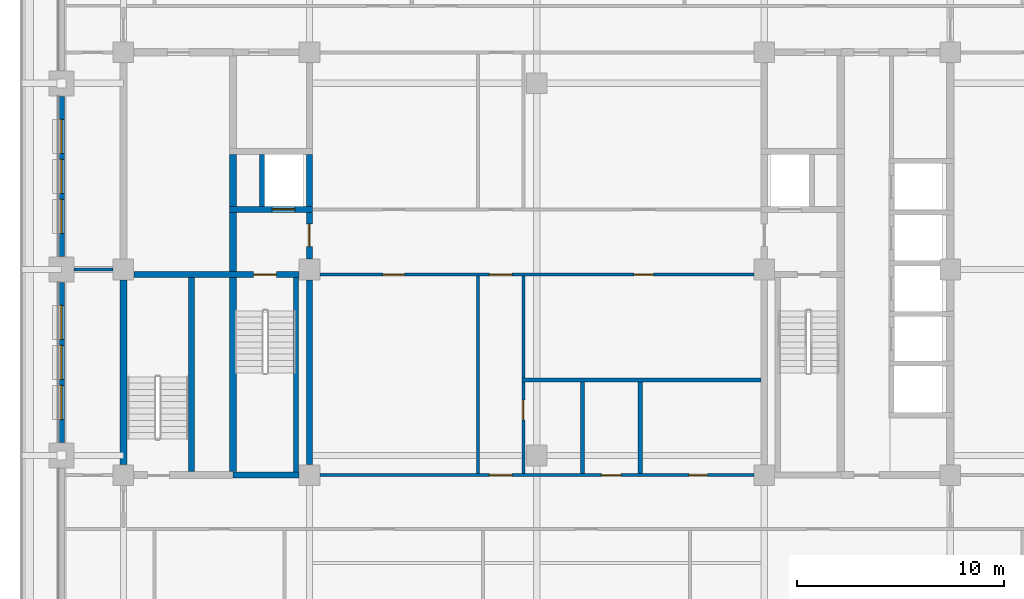
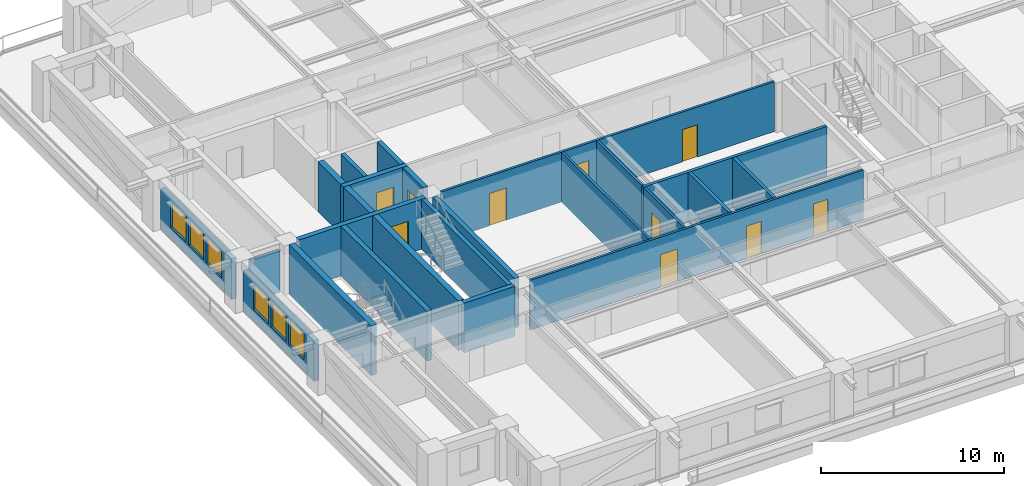
# One storey, part 3 of 13: 24 walls, 10 doors, 6 windows, 16 openings.
"""IFC4 building model written with IfcOpenShell, lengths in metres."""

from ifc_helpers import new_model, si_unit, direction, frame, frame_2d, origin, place, context, subcontext, project, spatial, rectangle, extrude, material, layer, layer_set, type_object, element, fill, save


model = new_model("IFC4")

# Units and contexts
model_context = context("Model", 3, precision=1e-05, world=origin(), true_north=direction((0.0, 1.0)))
body_context = subcontext(model_context, "Body", "Model", "MODEL_VIEW")
ifc_project = project(units=[si_unit("LENGTHUNIT", "METRE"), si_unit("AREAUNIT", "SQUARE_METRE"), si_unit("VOLUMEUNIT", "CUBIC_METRE"), si_unit("PLANEANGLEUNIT", "RADIAN"), si_unit("MASSUNIT", "GRAM", prefix="KILO")], contexts=[model_context])

# Site, building, storey
site_placement = place(None, origin())
site = spatial("IfcSite", under=ifc_project, at=site_placement, CompositionType="ELEMENT")
building_placement = place(site_placement, origin())
building = spatial("IfcBuilding", under=site, at=building_placement, Name="Zulmaris Gate Convention Tower", CompositionType="ELEMENT")
storey_placement = place(building_placement, frame((0.0, 0.0, 91.35986328125)))
storey = spatial("IfcBuildingStorey", under=building, at=storey_placement, Name="L22", CompositionType="ELEMENT", Elevation=91.35986328125)

# Walls
ifc_material_1 = material(Name="Concrete C50/60", Category="concrete")
ifc_layer_1 = layer(ifc_material_1, 0.25, Name="Concrete C50/60")
ifc_layer_set_1 = layer_set([ifc_layer_1], Name="Concrete C50/60")
wall_type_1 = type_object("IfcWallType", Name="CORE-250", PredefinedType="SOLIDWALL", material=ifc_layer_set_1)
wall_1_placement = place(storey_placement, frame((-13.300048828125, 3.052001953125, 0.0), z_axis=(0.0, 0.0, 1.0), x_axis=(0.0, 1.0, 0.0)))
element("IfcWall", 1, at=wall_1_placement, inside=storey, type_object=wall_type_1, Name="WL-L22-040", PredefinedType="SOLIDWALL", context=body_context, shape_type="SweptSolid", body=[
    extrude(rectangle(XDim=2.49609375, YDim=0.25, at=frame_2d((1.248046875, 0.0))), origin(), (0.0, 0.0, 1.0), 3.320068359375),
])
wall_2_placement = place(storey_placement, frame((-11.64990234375, -9.798095703125, 0.0), z_axis=(0.0, 0.0, 1.0), x_axis=(0.0, 1.0, 0.0)))
element("IfcWall", 2, at=wall_2_placement, inside=storey, type_object=wall_type_1, Name="WL-L22-041", PredefinedType="SOLIDWALL", context=body_context, shape_type="SweptSolid", body=[
    extrude(rectangle(XDim=9.39599609375, YDim=0.25, at=frame_2d((4.697998046875, 0.0))), origin(), (0.0, 0.0, 1.0), 3.320068359375),
])
ifc_layer_2 = layer(ifc_material_1, 0.300048828125, Name="Concrete C50/60")
ifc_layer_set_2 = layer_set([ifc_layer_2], Name="Concrete C50/60")
wall_type_2 = type_object("IfcWallType", Name="CORE-300", PredefinedType="SHEAR", material=ifc_layer_set_2)
wall_3_placement = place(storey_placement, frame((-14.699951171875, -9.949951171875, 0.0), z_axis=(0.0, 0.0, 1.0), x_axis=(1.0, 0.0, 0.0)))
element("IfcWall", 3, at=wall_3_placement, inside=storey, type_object=wall_type_2, Name="WL-L22-002", PredefinedType="SHEAR", context=body_context, shape_type="SweptSolid", body=[
    extrude(rectangle(XDim=3.196044921875, YDim=0.300048828125, at=frame_2d((1.59814453125, 0.0))), origin(), (0.0, 0.0, 1.0), 3.320068359375),
])

# Wall, opening, door
wall_4_placement = place(storey_placement, frame((-19.49609375, -0.25, 0.0), z_axis=(0.0, 0.0, 1.0), x_axis=(1.0, 0.0, 0.0)))
wall_4 = element("IfcWall", 4, at=wall_4_placement, inside=storey, type_object=wall_type_2, Name="WL-L22-008", PredefinedType="SHEAR", context=body_context, shape_type="SweptSolid", body=[
    extrude(rectangle(XDim=7.9921875, YDim=0.300048828125, at=frame_2d((3.99609375, 0.0))), origin(), (0.0, 0.0, 1.0), 3.320068359375),
])
opening_1_placement = place(wall_4_placement, frame((5.7958984375, 0.0, 0.0)))
opening_1 = element("IfcOpeningElement", 5, at=opening_1_placement, cuts=wall_4, Name="Opening D-08", PredefinedType="OPENING", context=body_context, shape_type="SweptSolid", body=[
    extrude(rectangle(XDim=1.10009765625, YDim=2.14990234375, at=frame_2d((0.550048828125, 1.074951171875))), frame((0.0, 0.16015625, 0.0), z_axis=(0.0, -1.0, 0.0), x_axis=(1.0, 0.0, 0.0)), (0.0, 0.0, 1.0), 0.320068359375),
])
ifc_material_2 = material(Name="Fire-Rated Steel", Category="steel")
door_type_1 = type_object("IfcDoorType", Name="DR-1100-FD", OperationType="NOTDEFINED", PredefinedType="DOOR", material=ifc_material_2)
door_1_placement = place(opening_1_placement, origin())
door_1 = element("IfcDoor", 6, at=door_1_placement, inside=storey, type_object=door_type_1, Name="L22 Exit Stair ST-1 Door 01", OperationType="SINGLE_SWING_LEFT", OverallHeight=2.14990234375, OverallWidth=1.10009765625, PredefinedType="DOOR", context=body_context, shape_type="SweptSolid", body=[
    extrude(rectangle(XDim=1.10009765625, YDim=2.14990234375, at=frame_2d((0.550048828125, 1.074951171875))), frame((0.0, 0.02490234375, 0.0), z_axis=(0.0, -1.0, 0.0), x_axis=(1.0, 0.0, 0.0)), (0.0, 0.0, 1.0), 0.050048828125),
])
fill(opening_1, door_1)

wall_5_placement = place(storey_placement, frame((-14.875, 2.89990234375, 0.0), z_axis=(0.0, 0.0, 1.0), x_axis=(1.0, 0.0, 0.0)))
wall_5 = element("IfcWall", 7, at=wall_5_placement, inside=storey, type_object=wall_type_2, Name="WL-L22-012", PredefinedType="SHEAR", context=body_context, shape_type="SweptSolid", body=[
    extrude(rectangle(XDim=4.02490234375, YDim=0.300048828125, at=frame_2d((2.012451171875, 0.0))), origin(), (0.0, 0.0, 1.0), 3.320068359375),
])
opening_2_placement = place(wall_5_placement, frame((2.074951171875, 0.0, 0.0)))
opening_2 = element("IfcOpeningElement", 8, at=opening_2_placement, cuts=wall_5, Name="Opening D-06", PredefinedType="OPENING", context=body_context, shape_type="SweptSolid", body=[
    extrude(rectangle(XDim=1.10009765625, YDim=2.199951171875, at=frame_2d((0.550048828125, 1.10009765625))), frame((0.0, 0.16015625, 0.0), z_axis=(0.0, -1.0, 0.0), x_axis=(1.0, 0.0, 0.0)), (0.0, 0.0, 1.0), 0.320068359375),
])
ifc_material_3 = material(Name="Brushed Stainless Steel", Category="steel")
door_type_2 = type_object("IfcDoorType", Name="LD-1100", OperationType="NOTDEFINED", PredefinedType="DOOR", material=ifc_material_3)
door_2_placement = place(opening_2_placement, origin())
door_2 = element("IfcDoor", 9, at=door_2_placement, inside=storey, type_object=door_type_2, Name="L22 Lift Landing Door LF-01 03", OperationType="SLIDING_TO_LEFT", OverallHeight=2.199951171875, OverallWidth=1.10009765625, PredefinedType="DOOR", context=body_context, shape_type="SweptSolid", body=[
    extrude(rectangle(XDim=1.10009765625, YDim=2.199951171875, at=frame_2d((0.550048828125, 1.10009765625))), frame((0.0, 0.02490234375, 0.0), z_axis=(0.0, -1.0, 0.0), x_axis=(1.0, 0.0, 0.0)), (0.0, 0.0, 1.0), 0.050048828125),
])
fill(opening_2, door_2)

# Walls
wall_6_placement = place(storey_placement, frame((-16.699951171875, -9.77294921875, 0.0), z_axis=(0.0, 0.0, 1.0), x_axis=(0.0, 1.0, 0.0)))
element("IfcWall", 10, at=wall_6_placement, inside=storey, type_object=wall_type_2, Name="WL-L22-035", PredefinedType="SHEAR", context=body_context, shape_type="SweptSolid", body=[
    extrude(rectangle(XDim=9.370849609375, YDim=0.300048828125, at=frame_2d((4.685546875, 0.0))), origin(), (0.0, 0.0, 1.0), 3.320068359375),
])
wall_7_placement = place(storey_placement, frame((-11.0, -9.446044921875, 0.0), z_axis=(0.0, 0.0, 1.0), x_axis=(0.0, 1.0, 0.0)))
element("IfcWall", 11, at=wall_7_placement, inside=storey, type_object=wall_type_2, Name="WL-L22-042", PredefinedType="SHEAR", context=body_context, shape_type="SweptSolid", body=[
    extrude(rectangle(XDim=8.942138671875, YDim=0.300048828125, at=frame_2d((4.47119140625, 0.0))), origin(), (0.0, 0.0, 1.0), 3.320068359375),
])

# Wall, opening, door
wall_8_placement = place(storey_placement, frame((-11.0, 0.50390625, 0.0), z_axis=(0.0, 0.0, 1.0), x_axis=(0.0, 1.0, 0.0)))
wall_8 = element("IfcWall", 12, at=wall_8_placement, inside=storey, type_object=wall_type_2, Name="WL-L22-043", PredefinedType="SHEAR", context=body_context, shape_type="SweptSolid", body=[
    extrude(rectangle(XDim=2.244140625, YDim=0.300048828125, at=frame_2d((1.1220703125, 0.0))), origin(), (0.0, 0.0, 1.0), 3.320068359375),
])
opening_3_placement = place(wall_8_placement, frame((0.595947265625, 0.0, 0.0)))
opening_3 = element("IfcOpeningElement", 13, at=opening_3_placement, cuts=wall_8, Name="Opening D-08", PredefinedType="OPENING", context=body_context, shape_type="SweptSolid", body=[
    extrude(rectangle(XDim=1.10009765625, YDim=2.14990234375, at=frame_2d((0.550048828125, 1.074951171875))), frame((0.0, 0.16015625, 0.0), z_axis=(0.0, -1.0, 0.0), x_axis=(1.0, 0.0, 0.0)), (0.0, 0.0, 1.0), 0.320068359375),
])
door_3_placement = place(opening_3_placement, origin())
door_3 = element("IfcDoor", 14, at=door_3_placement, inside=storey, type_object=door_type_1, Name="L22 West Firefighting Lobby Door 02", OperationType="SINGLE_SWING_RIGHT", OverallHeight=2.14990234375, OverallWidth=1.10009765625, PredefinedType="DOOR", context=body_context, shape_type="SweptSolid", body=[
    extrude(rectangle(XDim=1.10009765625, YDim=2.14990234375, at=frame_2d((0.550048828125, 1.074951171875))), frame((0.0, 0.02490234375, 0.0), z_axis=(0.0, -1.0, 0.0), x_axis=(1.0, 0.0, 0.0)), (0.0, 0.0, 1.0), 0.050048828125),
])
fill(opening_3, door_3)

# Walls
wall_9_placement = place(storey_placement, frame((-11.0, 3.052001953125, 0.0), z_axis=(0.0, 0.0, 1.0), x_axis=(0.0, 1.0, 0.0)))
element("IfcWall", 15, at=wall_9_placement, inside=storey, type_object=wall_type_2, Name="WL-L22-044", PredefinedType="SHEAR", context=body_context, shape_type="SweptSolid", body=[
    extrude(rectangle(XDim=2.49609375, YDim=0.300048828125, at=frame_2d((1.248046875, 0.0))), origin(), (0.0, 0.0, 1.0), 3.320068359375),
])
ifc_material_4 = material(Name="Concrete C55/67", Category="concrete")
ifc_layer_3 = layer(ifc_material_4, 0.35009765625, Name="Concrete C55/67")
ifc_layer_set_3 = layer_set([ifc_layer_3], Name="Concrete C55/67")
wall_type_3 = type_object("IfcWallType", Name="CORE-350", PredefinedType="SHEAR", material=ifc_layer_set_3)
wall_10_placement = place(storey_placement, frame((-20.0, -9.446044921875, 0.0), z_axis=(0.0, 0.0, 1.0), x_axis=(0.0, 1.0, 0.0)))
element("IfcWall", 16, at=wall_10_placement, inside=storey, type_object=wall_type_3, Name="WL-L22-033", PredefinedType="SHEAR", context=body_context, shape_type="SweptSolid", body=[
    extrude(rectangle(XDim=8.942138671875, YDim=0.35009765625, at=frame_2d((4.47119140625, 0.0))), origin(), (0.0, 0.0, 1.0), 3.320068359375),
])
wall_11_placement = place(storey_placement, frame((-14.699951171875, -9.77294921875, 0.0), z_axis=(0.0, 0.0, 1.0), x_axis=(0.0, 1.0, 0.0)))
element("IfcWall", 17, at=wall_11_placement, inside=storey, type_object=wall_type_3, Name="WL-L22-036", PredefinedType="SHEAR", context=body_context, shape_type="SweptSolid", body=[
    extrude(rectangle(XDim=9.370849609375, YDim=0.35009765625, at=frame_2d((4.685546875, 0.0))), origin(), (0.0, 0.0, 1.0), 3.320068359375),
])
wall_12_placement = place(storey_placement, frame((-14.699951171875, -0.097900390625, 0.0), z_axis=(0.0, 0.0, 1.0), x_axis=(0.0, 1.0, 0.0)))
element("IfcWall", 18, at=wall_12_placement, inside=storey, type_object=wall_type_3, Name="WL-L22-037", PredefinedType="SHEAR", context=body_context, shape_type="SweptSolid", body=[
    extrude(rectangle(XDim=2.845947265625, YDim=0.35009765625, at=frame_2d((1.4228515625, 0.0))), origin(), (0.0, 0.0, 1.0), 3.320068359375),
])
wall_13_placement = place(storey_placement, frame((-14.699951171875, 3.052001953125, 0.0), z_axis=(0.0, 0.0, 1.0), x_axis=(0.0, 1.0, 0.0)))
element("IfcWall", 19, at=wall_13_placement, inside=storey, type_object=wall_type_3, Name="WL-L22-038", PredefinedType="SHEAR", context=body_context, shape_type="SweptSolid", body=[
    extrude(rectangle(XDim=2.49609375, YDim=0.35009765625, at=frame_2d((1.248046875, 0.0))), origin(), (0.0, 0.0, 1.0), 3.320068359375),
])

# Wall, openings, doors
ifc_material_5 = material(Name="Gypsum Metal Stud Partition")
ifc_layer_4 = layer(ifc_material_5, 0.14990234375, Name="Gypsum Metal Stud Partition")
ifc_layer_set_4 = layer_set([ifc_layer_4], Name="Gypsum Metal Stud Partition")
wall_type_4 = type_object("IfcWallType", Name="PART-150", PredefinedType="PARTITIONING", material=ifc_layer_set_4)
wall_14_placement = place(storey_placement, frame((-10.493896484375, -9.949951171875, 0.0), z_axis=(0.0, 0.0, 1.0), x_axis=(1.0, 0.0, 0.0)))
wall_14 = element("IfcWall", 20, at=wall_14_placement, inside=storey, type_object=wall_type_4, Name="WL-L22-023", PredefinedType="PARTITIONING", context=body_context, shape_type="SweptSolid", body=[
    extrude(rectangle(XDim=20.98779296875, YDim=0.14990234375, at=frame_2d((10.493896484375, 0.0))), origin(), (0.0, 0.0, 1.0), 3.320068359375),
])
opening_4_placement = place(wall_14_placement, frame((8.194091796875, 0.0, 0.0)))
opening_4 = element("IfcOpeningElement", 21, at=opening_4_placement, cuts=wall_14, Name="Opening D-08", PredefinedType="OPENING", context=body_context, shape_type="SweptSolid", body=[
    extrude(rectangle(XDim=1.10009765625, YDim=2.14990234375, at=frame_2d((0.550048828125, 1.074951171875))), frame((0.0, 0.0849609375, 0.0), z_axis=(0.0, -1.0, 0.0), x_axis=(1.0, 0.0, 0.0)), (0.0, 0.0, 1.0), 0.169921875),
])
opening_5_placement = place(wall_14_placement, frame((13.618896484375, 0.0, 0.0)))
opening_5 = element("IfcOpeningElement", 22, at=opening_5_placement, cuts=wall_14, Name="Opening D-11", PredefinedType="OPENING", context=body_context, shape_type="SweptSolid", body=[
    extrude(rectangle(XDim=0.949951171875, YDim=2.14990234375, at=frame_2d((0.47509765625, 1.074951171875))), frame((0.0, 0.0849609375, 0.0), z_axis=(0.0, -1.0, 0.0), x_axis=(1.0, 0.0, 0.0)), (0.0, 0.0, 1.0), 0.169921875),
])
opening_6_placement = place(wall_14_placement, frame((17.843994140625, 0.0, 0.0)))
opening_6 = element("IfcOpeningElement", 23, at=opening_6_placement, cuts=wall_14, Name="Opening D-12", PredefinedType="OPENING", context=body_context, shape_type="SweptSolid", body=[
    extrude(rectangle(XDim=0.89990234375, YDim=2.14990234375, at=frame_2d((0.449951171875, 1.074951171875))), frame((0.0, 0.0849609375, 0.0), z_axis=(0.0, -1.0, 0.0), x_axis=(1.0, 0.0, 0.0)), (0.0, 0.0, 1.0), 0.169921875),
])
door_4_placement = place(opening_4_placement, origin())
door_4 = element("IfcDoor", 24, at=door_4_placement, inside=storey, type_object=door_type_1, Name="L22 South Gallery Link Door 19", OperationType="SINGLE_SWING_LEFT", OverallHeight=2.14990234375, OverallWidth=1.10009765625, PredefinedType="DOOR", context=body_context, shape_type="SweptSolid", body=[
    extrude(rectangle(XDim=1.10009765625, YDim=2.14990234375, at=frame_2d((0.550048828125, 1.074951171875))), frame((0.0, 0.02490234375, 0.0), z_axis=(0.0, -1.0, 0.0), x_axis=(1.0, 0.0, 0.0)), (0.0, 0.0, 1.0), 0.050048828125),
])
fill(opening_4, door_4)
ifc_material_6 = material(Name="Fire-Rated Timber", Category="wood")
door_type_3 = type_object("IfcDoorType", Name="DR-900-FD", OperationType="NOTDEFINED", PredefinedType="DOOR", material=ifc_material_6)
door_5_placement = place(opening_6_placement, origin())
door_5 = element("IfcDoor", 25, at=door_5_placement, inside=storey, type_object=door_type_3, Name="L22 Reprographics Office Door 35", OperationType="SINGLE_SWING_LEFT", OverallHeight=2.14990234375, OverallWidth=0.89990234375, PredefinedType="DOOR", context=body_context, shape_type="SweptSolid", body=[
    extrude(rectangle(XDim=0.89990234375, YDim=2.14990234375, at=frame_2d((0.449951171875, 1.074951171875))), frame((0.0, 0.02490234375, 0.0), z_axis=(0.0, -1.0, 0.0), x_axis=(1.0, 0.0, 0.0)), (0.0, 0.0, 1.0), 0.050048828125),
])
fill(opening_6, door_5)
door_type_4 = type_object("IfcDoorType", Name="DR-950-FD", OperationType="NOTDEFINED", PredefinedType="DOOR", material=ifc_material_6)
door_6_placement = place(opening_5_placement, origin())
door_6 = element("IfcDoor", 26, at=door_6_placement, inside=storey, type_object=door_type_4, Name="L22 Accessible WC Door 34", OperationType="SINGLE_SWING_RIGHT", OverallHeight=2.14990234375, OverallWidth=0.949951171875, PredefinedType="DOOR", context=body_context, shape_type="SweptSolid", body=[
    extrude(rectangle(XDim=0.949951171875, YDim=2.14990234375, at=frame_2d((0.47509765625, 1.074951171875))), frame((0.0, 0.02490234375, 0.0), z_axis=(0.0, -1.0, 0.0), x_axis=(1.0, 0.0, 0.0)), (0.0, 0.0, 1.0), 0.050048828125),
])
fill(opening_5, door_6)

wall_15_placement = place(storey_placement, frame((-10.493896484375, -0.25, 0.0), z_axis=(0.0, 0.0, 1.0), x_axis=(1.0, 0.0, 0.0)))
wall_15 = element("IfcWall", 27, at=wall_15_placement, inside=storey, type_object=wall_type_4, Name="WL-L22-026", PredefinedType="PARTITIONING", context=body_context, shape_type="SweptSolid", body=[
    extrude(rectangle(XDim=20.98779296875, YDim=0.14990234375, at=frame_2d((10.493896484375, 0.0))), origin(), (0.0, 0.0, 1.0), 3.320068359375),
])
opening_7_placement = place(wall_15_placement, frame((8.194091796875, 0.0, 0.0)))
opening_7 = element("IfcOpeningElement", 28, at=opening_7_placement, cuts=wall_15, Name="Opening D-08", PredefinedType="OPENING", context=body_context, shape_type="SweptSolid", body=[
    extrude(rectangle(XDim=1.10009765625, YDim=2.14990234375, at=frame_2d((0.550048828125, 1.074951171875))), frame((0.0, 0.0849609375, 0.0), z_axis=(0.0, -1.0, 0.0), x_axis=(1.0, 0.0, 0.0)), (0.0, 0.0, 1.0), 0.169921875),
])
opening_8_placement = place(wall_15_placement, frame((3.049072265625, 0.0, 0.0)))
opening_8 = element("IfcOpeningElement", 29, at=opening_8_placement, cuts=wall_15, Name="Opening D-09", PredefinedType="OPENING", context=body_context, shape_type="SweptSolid", body=[
    extrude(rectangle(XDim=1.050048828125, YDim=2.14990234375, at=frame_2d((0.52490234375, 1.074951171875))), frame((0.0, 0.0849609375, 0.0), z_axis=(0.0, -1.0, 0.0), x_axis=(1.0, 0.0, 0.0)), (0.0, 0.0, 1.0), 0.169921875),
])
opening_9_placement = place(wall_15_placement, frame((15.18896484375, 0.0, 0.0)))
opening_9 = element("IfcOpeningElement", 30, at=opening_9_placement, cuts=wall_15, Name="Opening D-11", PredefinedType="OPENING", context=body_context, shape_type="SweptSolid", body=[
    extrude(rectangle(XDim=0.949951171875, YDim=2.14990234375, at=frame_2d((0.47509765625, 1.074951171875))), frame((0.0, 0.0849609375, 0.0), z_axis=(0.0, -1.0, 0.0), x_axis=(1.0, 0.0, 0.0)), (0.0, 0.0, 1.0), 0.169921875),
])
door_type_5 = type_object("IfcDoorType", Name="DR-1050-FD", OperationType="NOTDEFINED", PredefinedType="DOOR", material=ifc_material_2)
door_7_placement = place(opening_8_placement, origin())
door_7 = element("IfcDoor", 31, at=door_7_placement, inside=storey, type_object=door_type_5, Name="L22 Sky Library Door 31", OperationType="SINGLE_SWING_LEFT", OverallHeight=2.14990234375, OverallWidth=1.050048828125, PredefinedType="DOOR", context=body_context, shape_type="SweptSolid", body=[
    extrude(rectangle(XDim=1.050048828125, YDim=2.14990234375, at=frame_2d((0.52490234375, 1.074951171875))), frame((0.0, 0.02490234375, 0.0), z_axis=(0.0, -1.0, 0.0), x_axis=(1.0, 0.0, 0.0)), (0.0, 0.0, 1.0), 0.050048828125),
])
fill(opening_8, door_7)
door_8_placement = place(opening_7_placement, origin())
door_8 = element("IfcDoor", 32, at=door_8_placement, inside=storey, type_object=door_type_1, Name="L22 Cross Spine South Door 21", OperationType="SINGLE_SWING_LEFT", OverallHeight=2.14990234375, OverallWidth=1.10009765625, PredefinedType="DOOR", context=body_context, shape_type="SweptSolid", body=[
    extrude(rectangle(XDim=1.10009765625, YDim=2.14990234375, at=frame_2d((0.550048828125, 1.074951171875))), frame((0.0, 0.02490234375, 0.0), z_axis=(0.0, -1.0, 0.0), x_axis=(1.0, 0.0, 0.0)), (0.0, 0.0, 1.0), 0.050048828125),
])
fill(opening_7, door_8)
door_9_placement = place(opening_9_placement, origin())
door_9 = element("IfcDoor", 33, at=door_9_placement, inside=storey, type_object=door_type_4, Name="L22 Public WC Door 32", OperationType="SINGLE_SWING_RIGHT", OverallHeight=2.14990234375, OverallWidth=0.949951171875, PredefinedType="DOOR", context=body_context, shape_type="SweptSolid", body=[
    extrude(rectangle(XDim=0.949951171875, YDim=2.14990234375, at=frame_2d((0.47509765625, 1.074951171875))), frame((0.0, 0.02490234375, 0.0), z_axis=(0.0, -1.0, 0.0), x_axis=(1.0, 0.0, 0.0)), (0.0, 0.0, 1.0), 0.050048828125),
])
fill(opening_9, door_9)

# Walls
wall_16_placement = place(storey_placement, frame((-22.39404296875, 0.0, 0.0), z_axis=(0.0, 0.0, 1.0), x_axis=(1.0, 0.0, 0.0)))
element("IfcWall", 34, at=wall_16_placement, inside=storey, type_object=wall_type_4, Name="WL-L22-027", PredefinedType="PARTITIONING", context=body_context, shape_type="SweptSolid", body=[
    extrude(rectangle(XDim=1.887939453125, YDim=0.14990234375, at=frame_2d((0.94384765625, 0.0))), origin(), (0.0, 0.0, 1.0), 2.81005859375),
])
wall_17_placement = place(storey_placement, frame((-2.85009765625, -9.8720703125, 0.0), z_axis=(0.0, 0.0, 1.0), x_axis=(0.0, 1.0, 0.0)))
element("IfcWall", 35, at=wall_17_placement, inside=storey, type_object=wall_type_4, Name="WL-L22-074", PredefinedType="PARTITIONING", context=body_context, shape_type="SweptSolid", body=[
    extrude(rectangle(XDim=9.544189453125, YDim=0.14990234375, at=frame_2d((4.77197265625, 0.0))), origin(), (0.0, 0.0, 1.0), 3.320068359375),
])

# Wall, opening, door
wall_18_placement = place(storey_placement, frame((-0.64990234375, -9.8720703125, 0.0), z_axis=(0.0, 0.0, 1.0), x_axis=(0.0, 1.0, 0.0)))
wall_18 = element("IfcWall", 36, at=wall_18_placement, inside=storey, type_object=wall_type_4, Name="WL-L22-077", PredefinedType="PARTITIONING", context=body_context, shape_type="SweptSolid", body=[
    extrude(rectangle(XDim=4.419189453125, YDim=0.14990234375, at=frame_2d((2.20947265625, 0.0))), origin(), (0.0, 0.0, 1.0), 3.320068359375),
])
opening_10_placement = place(wall_18_placement, frame((2.596923828125, 0.0, 0.0)))
opening_10 = element("IfcOpeningElement", 37, at=opening_10_placement, cuts=wall_18, Name="Opening D-11", PredefinedType="OPENING", context=body_context, shape_type="SweptSolid", body=[
    extrude(rectangle(XDim=0.949951171875, YDim=2.14990234375, at=frame_2d((0.47509765625, 1.074951171875))), frame((0.0, 0.0849609375, 0.0), z_axis=(0.0, -1.0, 0.0), x_axis=(1.0, 0.0, 0.0)), (0.0, 0.0, 1.0), 0.169921875),
])
door_10_placement = place(opening_10_placement, origin())
door_10 = element("IfcDoor", 38, at=door_10_placement, inside=storey, type_object=door_type_4, Name="L22 Hygiene Supply Door 33", OperationType="SINGLE_SWING_LEFT", OverallHeight=2.14990234375, OverallWidth=0.949951171875, PredefinedType="DOOR", context=body_context, shape_type="SweptSolid", body=[
    extrude(rectangle(XDim=0.949951171875, YDim=2.14990234375, at=frame_2d((0.47509765625, 1.074951171875))), frame((0.0, 0.02490234375, 0.0), z_axis=(0.0, -1.0, 0.0), x_axis=(1.0, 0.0, 0.0)), (0.0, 0.0, 1.0), 0.050048828125),
])
fill(opening_10, door_10)

# Walls
wall_19_placement = place(storey_placement, frame((-0.64990234375, -5.2470703125, 0.0), z_axis=(0.0, 0.0, 1.0), x_axis=(0.0, 1.0, 0.0)))
element("IfcWall", 39, at=wall_19_placement, inside=storey, type_object=wall_type_4, Name="WL-L22-078", PredefinedType="PARTITIONING", context=body_context, shape_type="SweptSolid", body=[
    extrude(rectangle(XDim=4.919189453125, YDim=0.14990234375, at=frame_2d((2.45947265625, 0.0))), origin(), (0.0, 0.0, 1.0), 3.320068359375),
])
ifc_material_7 = material(Name="Autoclaved Aerated Concrete Block and Plasterboard", Category="concrete")
ifc_layer_5 = layer(ifc_material_7, 0.199951171875, Name="Autoclaved Aerated Concrete Block and Plasterboard")
ifc_layer_set_5 = layer_set([ifc_layer_5], Name="Autoclaved Aerated Concrete Block and Plasterboard")
wall_type_5 = type_object("IfcWallType", Name="PART-200", PredefinedType="PARTITIONING", material=ifc_layer_set_5)
wall_20_placement = place(storey_placement, frame((-0.72509765625, -5.35009765625, 0.0), z_axis=(0.0, 0.0, 1.0), x_axis=(1.0, 0.0, 0.0)))
element("IfcWall", 40, at=wall_20_placement, inside=storey, type_object=wall_type_5, Name="WL-L22-025", PredefinedType="PARTITIONING", context=body_context, shape_type="SweptSolid", body=[
    extrude(rectangle(XDim=11.572021484375, YDim=0.199951171875, at=frame_2d((5.7861328125, 0.0))), origin(), (0.0, 0.0, 1.0), 3.320068359375),
])
for number, where, z_axis, x_axis, name in (
    (41, (2.199951171875, -9.8720703125, 0.0), (0.0, 0.0, 1.0), (0.0, 1.0, 0.0), "WL-L22-080"),
    (42, (5.0, -9.8720703125, 0.0), (0.0, 0.0, 1.0), (0.0, 1.0, 0.0), "WL-L22-081"),
):
    element("IfcWall", number, at=place(storey_placement, frame(where, z_axis=z_axis, x_axis=x_axis)), inside=storey, type_object=wall_type_5, Name=name, PredefinedType="PARTITIONING", context=body_context, shape_type="SweptSolid", body=[
        extrude(rectangle(XDim=4.419189453125, YDim=0.199951171875, at=frame_2d((2.20947265625, 0.0))), origin(), (0.0, 0.0, 1.0), 3.320068359375),
    ])

# Wall, openings, windows
ifc_material_8 = material(Name="Precast concrete C40/50", Category="concrete")
ifc_layer_6 = layer(ifc_material_8, 0.300048828125, Name="Precast concrete C40/50")
ifc_layer_set_6 = layer_set([ifc_layer_6], Name="Precast concrete C40/50")
wall_type_6 = type_object("IfcWallType", Name="PRECAST-PIER-300", PredefinedType="STANDARD", material=ifc_layer_set_6)
wall_21_placement = place(storey_placement, frame((-23.0, -0.6298828125, 0.0), z_axis=(0.0, 0.0, 1.0), x_axis=(0.0, -1.0, 0.0)))
wall_21 = element("IfcWall", 43, at=wall_21_placement, inside=storey, type_object=wall_type_6, Name="EW-L22-W-1_0", PredefinedType="STANDARD", context=body_context, shape_type="SweptSolid", body=[
    extrude(rectangle(XDim=7.740234375, YDim=0.300048828125, at=frame_2d((3.8701171875, 0.0))), origin(), (0.0, 0.0, 1.0), 2.712158203125),
])
opening_11_placement = place(wall_21_placement, frame((1.110107421875, 0.0, 0.800048828125)))
opening_11 = element("IfcOpeningElement", 44, at=opening_11_placement, cuts=wall_21, Name="Opening W-08", PredefinedType="OPENING", context=body_context, shape_type="SweptSolid", body=[
    extrude(rectangle(XDim=1.64990234375, YDim=1.699951171875, at=frame_2d((0.824951171875, 0.85009765625))), frame((0.0, 0.16015625, 0.0), z_axis=(0.0, -1.0, 0.0), x_axis=(1.0, 0.0, 0.0)), (0.0, 0.0, 1.0), 0.320068359375),
])
opening_12_placement = place(wall_21_placement, frame((3.044921875, 0.0, 0.800048828125)))
opening_12 = element("IfcOpeningElement", 45, at=opening_12_placement, cuts=wall_21, Name="Opening W-08", PredefinedType="OPENING", context=body_context, shape_type="SweptSolid", body=[
    extrude(rectangle(XDim=1.64990234375, YDim=1.699951171875, at=frame_2d((0.824951171875, 0.85009765625))), frame((0.0, 0.16015625, 0.0), z_axis=(0.0, -1.0, 0.0), x_axis=(1.0, 0.0, 0.0)), (0.0, 0.0, 1.0), 0.320068359375),
])
opening_13_placement = place(wall_21_placement, frame((4.97998046875, 0.0, 0.800048828125)))
opening_13 = element("IfcOpeningElement", 46, at=opening_13_placement, cuts=wall_21, Name="Opening W-08", PredefinedType="OPENING", context=body_context, shape_type="SweptSolid", body=[
    extrude(rectangle(XDim=1.64990234375, YDim=1.699951171875, at=frame_2d((0.824951171875, 0.85009765625))), frame((0.0, 0.16015625, 0.0), z_axis=(0.0, -1.0, 0.0), x_axis=(1.0, 0.0, 0.0)), (0.0, 0.0, 1.0), 0.320068359375),
])
ifc_material_9 = material(Name="Low-E Laminated Double Glazing in Aluminium Frame", Category="aluminium")
window_type = type_object("IfcWindowType", Name="WIN-1650x2150", PartitioningType="SINGLE_PANEL", PredefinedType="WINDOW", material=ifc_material_9)
window_1_placement = place(opening_11_placement, origin())
window_1 = element("IfcWindow", 47, at=window_1_placement, inside=storey, type_object=window_type, Name="WN-EW-L22-W-1_0-1", OverallHeight=1.699951171875, OverallWidth=1.64990234375, PartitioningType="SINGLE_PANEL", PredefinedType="WINDOW", context=body_context, shape_type="SweptSolid", body=[
    extrude(rectangle(XDim=1.64990234375, YDim=1.699951171875, at=frame_2d((0.824951171875, 0.85009765625))), frame((0.0, 0.030029296875, 0.0), z_axis=(0.0, -1.0, 0.0), x_axis=(1.0, 0.0, 0.0)), (0.0, 0.0, 1.0), 0.06005859375),
])
fill(opening_11, window_1)
window_2_placement = place(opening_12_placement, origin())
window_2 = element("IfcWindow", 48, at=window_2_placement, inside=storey, type_object=window_type, Name="WN-EW-L22-W-1_0-2", OverallHeight=1.699951171875, OverallWidth=1.64990234375, PartitioningType="SINGLE_PANEL", PredefinedType="WINDOW", context=body_context, shape_type="SweptSolid", body=[
    extrude(rectangle(XDim=1.64990234375, YDim=1.699951171875, at=frame_2d((0.824951171875, 0.85009765625))), frame((0.0, 0.030029296875, 0.0), z_axis=(0.0, -1.0, 0.0), x_axis=(1.0, 0.0, 0.0)), (0.0, 0.0, 1.0), 0.06005859375),
])
fill(opening_12, window_2)
window_3_placement = place(opening_13_placement, origin())
window_3 = element("IfcWindow", 49, at=window_3_placement, inside=storey, type_object=window_type, Name="WN-EW-L22-W-1_0-3", OverallHeight=1.699951171875, OverallWidth=1.64990234375, PartitioningType="SINGLE_PANEL", PredefinedType="WINDOW", context=body_context, shape_type="SweptSolid", body=[
    extrude(rectangle(XDim=1.64990234375, YDim=1.699951171875, at=frame_2d((0.824951171875, 0.85009765625))), frame((0.0, 0.030029296875, 0.0), z_axis=(0.0, -1.0, 0.0), x_axis=(1.0, 0.0, 0.0)), (0.0, 0.0, 1.0), 0.06005859375),
])
fill(opening_13, window_3)

wall_22_placement = place(storey_placement, frame((-23.0, 8.3701171875, 0.0), z_axis=(0.0, 0.0, 1.0), x_axis=(0.0, -1.0, 0.0)))
wall_22 = element("IfcWall", 50, at=wall_22_placement, inside=storey, type_object=wall_type_6, Name="EW-L22-W-2_0", PredefinedType="STANDARD", context=body_context, shape_type="SweptSolid", body=[
    extrude(rectangle(XDim=7.740234375, YDim=0.300048828125, at=frame_2d((3.8701171875, 0.0))), origin(), (0.0, 0.0, 1.0), 2.712158203125),
])
opening_14_placement = place(wall_22_placement, frame((1.110107421875, 0.0, 0.800048828125)))
opening_14 = element("IfcOpeningElement", 51, at=opening_14_placement, cuts=wall_22, Name="Opening W-08", PredefinedType="OPENING", context=body_context, shape_type="SweptSolid", body=[
    extrude(rectangle(XDim=1.64990234375, YDim=1.699951171875, at=frame_2d((0.824951171875, 0.85009765625))), frame((0.0, 0.16015625, 0.0), z_axis=(0.0, -1.0, 0.0), x_axis=(1.0, 0.0, 0.0)), (0.0, 0.0, 1.0), 0.320068359375),
])
opening_15_placement = place(wall_22_placement, frame((3.044921875, 0.0, 0.800048828125)))
opening_15 = element("IfcOpeningElement", 52, at=opening_15_placement, cuts=wall_22, Name="Opening W-08", PredefinedType="OPENING", context=body_context, shape_type="SweptSolid", body=[
    extrude(rectangle(XDim=1.64990234375, YDim=1.699951171875, at=frame_2d((0.824951171875, 0.85009765625))), frame((0.0, 0.16015625, 0.0), z_axis=(0.0, -1.0, 0.0), x_axis=(1.0, 0.0, 0.0)), (0.0, 0.0, 1.0), 0.320068359375),
])
opening_16_placement = place(wall_22_placement, frame((4.97998046875, 0.0, 0.800048828125)))
opening_16 = element("IfcOpeningElement", 53, at=opening_16_placement, cuts=wall_22, Name="Opening W-08", PredefinedType="OPENING", context=body_context, shape_type="SweptSolid", body=[
    extrude(rectangle(XDim=1.64990234375, YDim=1.699951171875, at=frame_2d((0.824951171875, 0.85009765625))), frame((0.0, 0.16015625, 0.0), z_axis=(0.0, -1.0, 0.0), x_axis=(1.0, 0.0, 0.0)), (0.0, 0.0, 1.0), 0.320068359375),
])
window_4_placement = place(opening_14_placement, origin())
window_4 = element("IfcWindow", 54, at=window_4_placement, inside=storey, type_object=window_type, Name="WN-EW-L22-W-2_0-1", OverallHeight=1.699951171875, OverallWidth=1.64990234375, PartitioningType="SINGLE_PANEL", PredefinedType="WINDOW", context=body_context, shape_type="SweptSolid", body=[
    extrude(rectangle(XDim=1.64990234375, YDim=1.699951171875, at=frame_2d((0.824951171875, 0.85009765625))), frame((0.0, 0.030029296875, 0.0), z_axis=(0.0, -1.0, 0.0), x_axis=(1.0, 0.0, 0.0)), (0.0, 0.0, 1.0), 0.06005859375),
])
fill(opening_14, window_4)
window_5_placement = place(opening_15_placement, origin())
window_5 = element("IfcWindow", 55, at=window_5_placement, inside=storey, type_object=window_type, Name="WN-EW-L22-W-2_0-2", OverallHeight=1.699951171875, OverallWidth=1.64990234375, PartitioningType="SINGLE_PANEL", PredefinedType="WINDOW", context=body_context, shape_type="SweptSolid", body=[
    extrude(rectangle(XDim=1.64990234375, YDim=1.699951171875, at=frame_2d((0.824951171875, 0.85009765625))), frame((0.0, 0.030029296875, 0.0), z_axis=(0.0, -1.0, 0.0), x_axis=(1.0, 0.0, 0.0)), (0.0, 0.0, 1.0), 0.06005859375),
])
fill(opening_15, window_5)
window_6_placement = place(opening_16_placement, origin())
window_6 = element("IfcWindow", 56, at=window_6_placement, inside=storey, type_object=window_type, Name="WN-EW-L22-W-2_0-3", OverallHeight=1.699951171875, OverallWidth=1.64990234375, PartitioningType="SINGLE_PANEL", PredefinedType="WINDOW", context=body_context, shape_type="SweptSolid", body=[
    extrude(rectangle(XDim=1.64990234375, YDim=1.699951171875, at=frame_2d((0.824951171875, 0.85009765625))), frame((0.0, 0.030029296875, 0.0), z_axis=(0.0, -1.0, 0.0), x_axis=(1.0, 0.0, 0.0)), (0.0, 0.0, 1.0), 0.06005859375),
])
fill(opening_16, window_6)

save(model, "model.ifc")
